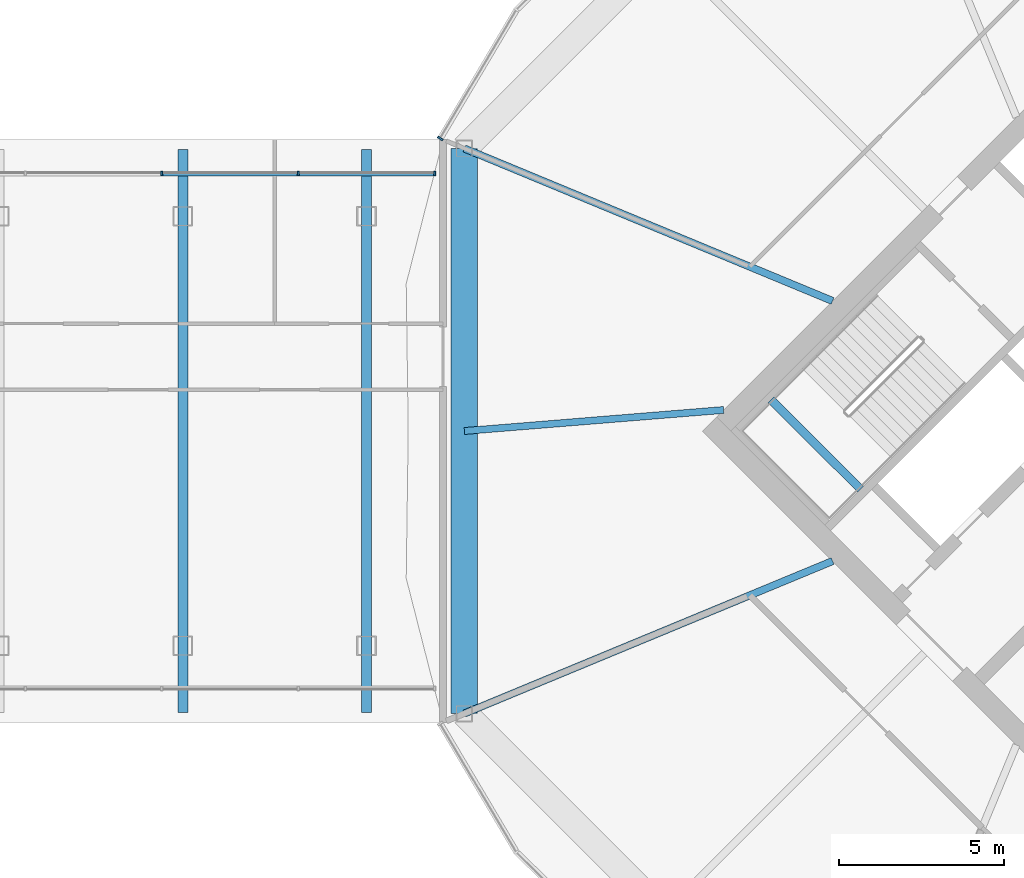
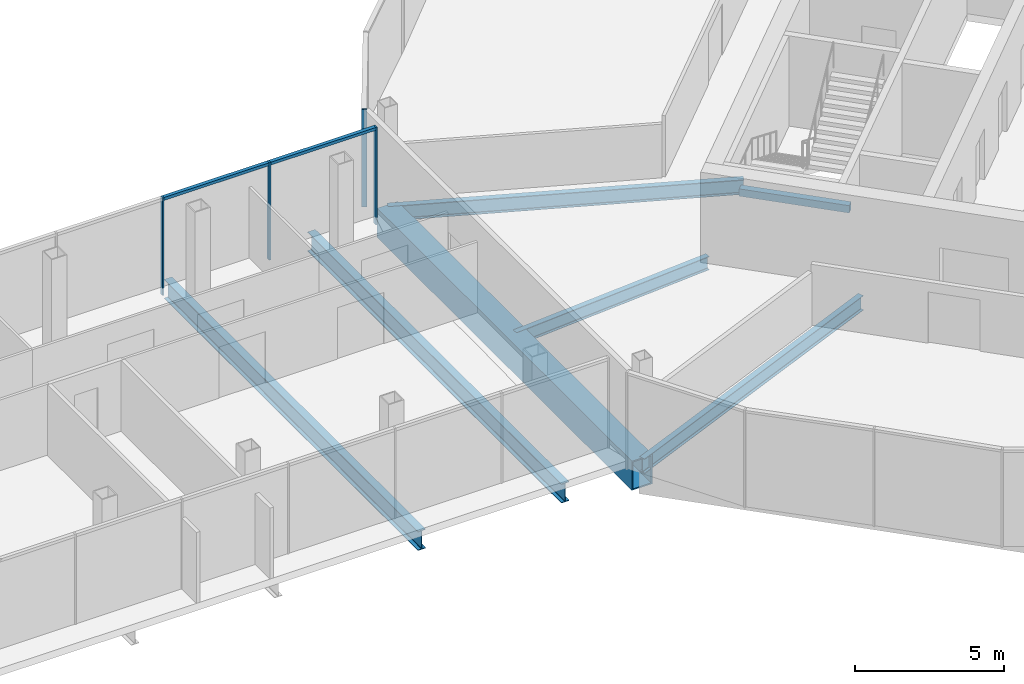
# One storey, part 13 of 26: 7 beams, 6 members, 2 elements without a shape of their own.
"""IFC4 building model written with IfcOpenShell, lengths in metres."""

from ifc_helpers import new_model, si_unit, direction, frame, origin, origin_2d, place, context, subcontext, project, spatial, rectangle, hollow_rectangle, i_section, extrude, material, material_profile, profile_set, type_object, element, aggregate, save


model = new_model("IFC4")

# Units and contexts
model_context = context("Model", 3, precision=1e-05, world=origin(), true_north=direction((0.0, 1.0)))
body_context = subcontext(model_context, "Body", "Model", "MODEL_VIEW")
ifc_project = project(units=[si_unit("LENGTHUNIT", "METRE"), si_unit("AREAUNIT", "SQUARE_METRE"), si_unit("VOLUMEUNIT", "CUBIC_METRE"), si_unit("PLANEANGLEUNIT", "RADIAN"), si_unit("MASSUNIT", "GRAM", prefix="KILO")], contexts=[model_context])

# Site, building, storey
site_placement = place(None, origin())
site = spatial("IfcSite", under=ifc_project, at=site_placement, CompositionType="ELEMENT")
building_placement = place(site_placement, origin())
building = spatial("IfcBuilding", under=site, at=building_placement, Name="Ogive Gate Towers", CompositionType="ELEMENT")
storey_placement = place(building_placement, frame((0.0, 0.0, 156.800048828125)))
storey = spatial("IfcBuildingStorey", under=building, at=storey_placement, Name="L37", CompositionType="ELEMENT", Elevation=156.800048828125)

# Beams
ifc_material_1 = material(Name="Steel SM460", Category="steel")
ifc_material_profile_1 = material_profile(ifc_material_1, i_section(OverallWidth=0.300048828125, OverallDepth=0.7900390625, WebThickness=0.014892578125, FlangeThickness=0.028076171875, FilletRadius=0.030029296875, at=origin_2d()), Name="HE 800 A")
ifc_profile_set_1 = profile_set([ifc_material_profile_1], Name="Steel SM460")
beam_type_1 = type_object("IfcBeamType", Name="Block floor beam HE 800 A", PredefinedType="BEAM", material=ifc_profile_set_1)
for number, where, z_axis, x_axis, name in (
    (1, (6.8388671875, -8.51708984375, -0.695068359375), (0.0, 1.0, 0.0), (-1.0, 0.0, 0.0), "BR/L37/SBM004"),
    (2, (12.3955078125, -8.51708984375, -0.695068359375), (0.0, 1.0, 0.0), (-1.0, 0.0, 0.0), "BR/L37/SBM005"),
):
    element("IfcBeam", number, at=place(storey_placement, frame(where, z_axis=z_axis, x_axis=x_axis)), inside=storey, type_object=beam_type_1, Name=name, PredefinedType="BEAM", context=body_context, shape_type="SweptSolid", body=[
        extrude(i_section(OverallWidth=0.300048828125, OverallDepth=0.7900390625, WebThickness=0.014892578125, FlangeThickness=0.028076171875, FilletRadius=0.030029296875, at=origin_2d()), origin(), (0.0, 0.0, 1.0), 17.0341796875),
    ])
ifc_material_profile_2 = material_profile(ifc_material_1, hollow_rectangle(XDim=0.800048828125, YDim=1.199951171875, WallThickness=0.050048828125, at=origin_2d()), Name="BX 1200x800x50")
ifc_profile_set_2 = profile_set([ifc_material_profile_2], Name="Steel SM460")
beam_type_2 = type_object("IfcBeamType", Name="Edge girder BX 1200x800x50", PredefinedType="BEAM", material=ifc_profile_set_2)
beam_1_placement = place(storey_placement, frame((15.360595703125, 8.549072265625, -0.900146484375), z_axis=(0.0, -1.0, 0.0), x_axis=(1.0, 0.0, 0.0)))
element("IfcBeam", 3, at=beam_1_placement, inside=storey, type_object=beam_type_2, Name="T2/L37/SBM024", PredefinedType="BEAM", context=body_context, shape_type="SweptSolid", body=[
    extrude(hollow_rectangle(XDim=0.800048828125, YDim=1.199951171875, WallThickness=0.050048828125, at=origin_2d()), origin(), (0.0, 0.0, 1.0), 17.09814453125),
])

# Curtain wall, members
ifc_material_2 = material(Name="Pale metal aluminium", Category="aluminium")
curtain_wall_type_1 = type_object("IfcCurtainWallType", Name="Gate block facade", PredefinedType="NOTDEFINED", material=ifc_material_2)
curtain_wall_1_placement = place(storey_placement, origin())
curtain_wall_1 = element("IfcCurtainWall", 4, at=curtain_wall_1_placement, inside=storey, type_object=curtain_wall_type_1, Name="CW3 BR ECW02", PredefinedType="NOTDEFINED")
ifc_material_profile_3 = material_profile(ifc_material_2, rectangle(XDim=0.139892578125, YDim=0.06005859375, at=origin_2d()), Name="60 x 140 aluminium box")
ifc_profile_set_3 = profile_set([ifc_material_profile_3], Name="Pale metal aluminium")
member_type_1 = type_object("IfcMemberType", Name="Gate block facade mullion 60 x 140", PredefinedType="MULLION", material=ifc_profile_set_3)
member_1_placement = place(storey_placement, frame((14.458251953125, 7.787109375, -0.300048828125), z_axis=(0.0, 0.0, 1.0), x_axis=(0.0, 1.0, 0.0)))
member_1 = element("IfcMember", 5, at=member_1_placement, type_object=member_type_1, Name="CW3 mullion", PredefinedType="MULLION", context=body_context, shape_type="SweptSolid", body=[
    extrude(rectangle(XDim=0.139892578125, YDim=0.06005859375, at=origin_2d()), origin(), (0.0, 0.0, 1.0), 4.0),
])
member_2_placement = place(storey_placement, frame((10.327392578125, 7.787109375, -0.300048828125), z_axis=(0.0, 0.0, 1.0), x_axis=(0.0, 1.0, 0.0)))
member_2 = element("IfcMember", 6, at=member_2_placement, type_object=member_type_1, Name="CW3 mullion", PredefinedType="MULLION", context=body_context, shape_type="SweptSolid", body=[
    extrude(rectangle(XDim=0.139892578125, YDim=0.06005859375, at=origin_2d()), origin(), (0.0, 0.0, 1.0), 4.0),
])
member_3_placement = place(storey_placement, frame((6.1962890625, 7.787109375, -0.300048828125), z_axis=(0.0, 0.0, 1.0), x_axis=(0.0, 1.0, 0.0)))
member_3 = element("IfcMember", 7, at=member_3_placement, type_object=member_type_1, Name="CW3 mullion", PredefinedType="MULLION", context=body_context, shape_type="SweptSolid", body=[
    extrude(rectangle(XDim=0.139892578125, YDim=0.06005859375, at=origin_2d()), origin(), (0.0, 0.0, 1.0), 4.0),
])
ifc_material_profile_4 = material_profile(ifc_material_2, rectangle(XDim=0.139892578125, YDim=0.1201171875, at=origin_2d()), Name="120 x 140 aluminium box")
ifc_profile_set_4 = profile_set([ifc_material_profile_4], Name="Pale metal aluminium")
member_type_2 = type_object("IfcMemberType", Name="Gate block facade transom 120 x 140", PredefinedType="USERDEFINED", material=ifc_profile_set_4)
member_4_placement = place(storey_placement, frame((14.42822265625, 7.787109375, 3.639892578125), z_axis=(-1.0, 0.0, 0.0), x_axis=(0.0, -1.0, 0.0)))
member_4 = element("IfcMember", 8, at=member_4_placement, type_object=member_type_2, Name="CW3 transom", ObjectType="TRANSOM", PredefinedType="USERDEFINED", context=body_context, shape_type="SweptSolid", body=[
    extrude(rectangle(XDim=0.139892578125, YDim=0.1201171875, at=origin_2d()), origin(), (0.0, 0.0, 1.0), 4.07080078125),
])
member_5_placement = place(storey_placement, frame((10.29736328125, 7.787109375, 3.639892578125), z_axis=(-1.0, 0.0, 0.0), x_axis=(0.0, -1.0, 0.0)))
member_5 = element("IfcMember", 9, at=member_5_placement, type_object=member_type_2, Name="CW3 transom", ObjectType="TRANSOM", PredefinedType="USERDEFINED", context=body_context, shape_type="SweptSolid", body=[
    extrude(rectangle(XDim=0.139892578125, YDim=0.1201171875, at=origin_2d()), origin(), (0.0, 0.0, 1.0), 4.071044921875),
])
aggregate(curtain_wall_1, [member_1, member_2, member_4, member_3, member_5])

# Beams
ifc_material_3 = material(Name="Concrete C40/50", Category="concrete")
ifc_material_profile_5 = material_profile(ifc_material_3, rectangle(XDim=0.25, YDim=0.300048828125, at=origin_2d()), Name="RC 250x300")
ifc_profile_set_5 = profile_set([ifc_material_profile_5], Name="Concrete C40/50")
beam_type_3 = type_object("IfcBeamType", Name="Landing bearer RC 250x300", PredefinedType="BEAM", material=ifc_profile_set_5)
beam_2_placement = place(storey_placement, frame((24.64111328125, 0.94482421875, 1.64990234375), z_axis=(0.707138693938, -0.707074866995, 0.0), x_axis=(0.707074866995, 0.707138693938, 0.0)))
element("IfcBeam", 10, at=beam_2_placement, inside=storey, type_object=beam_type_3, Name="T2 L37 stair 1 landing bearer 1", PredefinedType="BEAM", context=body_context, shape_type="SweptSolid", body=[
    extrude(rectangle(XDim=0.25, YDim=0.300048828125, at=origin_2d()), origin(), (0.0, 0.0, 1.0), 3.824951171875),
])
ifc_material_4 = material(Name="Steel SM355", Category="steel")
ifc_material_profile_6 = material_profile(ifc_material_4, i_section(OverallWidth=0.2099609375, OverallDepth=0.550048828125, WebThickness=0.010986328125, FlangeThickness=0.01708984375, FilletRadius=0.02392578125, at=origin_2d()), Name="IPE 550")
ifc_profile_set_6 = profile_set([ifc_material_profile_6], Name="Steel SM355")
beam_type_4 = type_object("IfcBeamType", Name="Radial floor beam IPE 550", PredefinedType="BEAM", material=ifc_profile_set_6)
beam_3_placement = place(storey_placement, frame((23.201416015625, 0.636474609375, -0.574951171875), z_axis=(-0.996721544062, -0.080908365468, 0.0), x_axis=(0.080908365468, -0.996721544062, 0.0)))
element("IfcBeam", 11, at=beam_3_placement, inside=storey, type_object=beam_type_4, Name="T2/L37/SBM016", PredefinedType="BEAM", context=body_context, shape_type="SweptSolid", body=[
    extrude(i_section(OverallWidth=0.2099609375, OverallDepth=0.550048828125, WebThickness=0.010986328125, FlangeThickness=0.01708984375, FilletRadius=0.02392578125, at=origin_2d()), origin(), (0.0, 0.0, 1.0), 7.86669921875),
])
ifc_material_profile_7 = material_profile(ifc_material_4, i_section(OverallWidth=0.219970703125, OverallDepth=0.60009765625, WebThickness=0.011962890625, FlangeThickness=0.01904296875, FilletRadius=0.02392578125, at=origin_2d()), Name="IPE 600")
ifc_profile_set_7 = profile_set([ifc_material_profile_7], Name="Steel SM355")
beam_type_5 = type_object("IfcBeamType", Name="Radial floor beam IPE 600", PredefinedType="BEAM", material=ifc_profile_set_7)
for number, where, z_axis, x_axis, name in (
    (12, (26.5, -3.93505859375, -0.60009765625), (-0.923881839184, -0.382677863518, 0.0), (0.382677863518, -0.923881839184, 0.0), "T2/L37/SBM001"),
    (13, (26.5, 3.93505859375, -0.60009765625), (-0.923881839184, 0.382677863518, 0.0), (-0.382677863518, -0.923881839184, 0.0), "T2/L37/SBM015"),
):
    element("IfcBeam", number, at=place(storey_placement, frame(where, z_axis=z_axis, x_axis=x_axis)), inside=storey, type_object=beam_type_5, Name=name, PredefinedType="BEAM", context=body_context, shape_type="SweptSolid", body=[
        extrude(i_section(OverallWidth=0.219970703125, OverallDepth=0.60009765625, WebThickness=0.011962890625, FlangeThickness=0.01904296875, FilletRadius=0.02392578125, at=origin_2d()), origin(), (0.0, 0.0, 1.0), 12.05712890625),
    ])

# Curtain wall, member
curtain_wall_type_2 = type_object("IfcCurtainWallType", Name="Tower unitised wall, high zone", PredefinedType="NOTDEFINED", material=ifc_material_2)
curtain_wall_2_placement = place(storey_placement, origin())
curtain_wall_2 = element("IfcCurtainWall", 14, at=curtain_wall_2_placement, inside=storey, type_object=curtain_wall_type_2, Name="CW2 T2 ECW04", PredefinedType="NOTDEFINED")
ifc_material_profile_8 = material_profile(ifc_material_2, rectangle(XDim=0.179931640625, YDim=0.06005859375, at=origin_2d()), Name="60 x 180 aluminium box")
ifc_profile_set_8 = profile_set([ifc_material_profile_8], Name="Pale metal aluminium")
member_type_3 = type_object("IfcMemberType", Name="Tower unitised wall, high zone mullion 60 x 180", PredefinedType="MULLION", material=ifc_profile_set_8)
member_6_placement = place(storey_placement, frame((14.629150390625, 8.8505859375, -0.300048828125), z_axis=(0.0, 0.0, 1.0), x_axis=(-0.860208488223, 0.509942503415, 0.0)))
member_6 = element("IfcMember", 15, at=member_6_placement, type_object=member_type_3, Name="CW2 mullion", PredefinedType="MULLION", context=body_context, shape_type="SweptSolid", body=[
    extrude(rectangle(XDim=0.179931640625, YDim=0.06005859375, at=origin_2d()), origin(), (0.0, 0.0, 1.0), 4.0),
])
aggregate(curtain_wall_2, [member_6])

save(model, "model.ifc")
